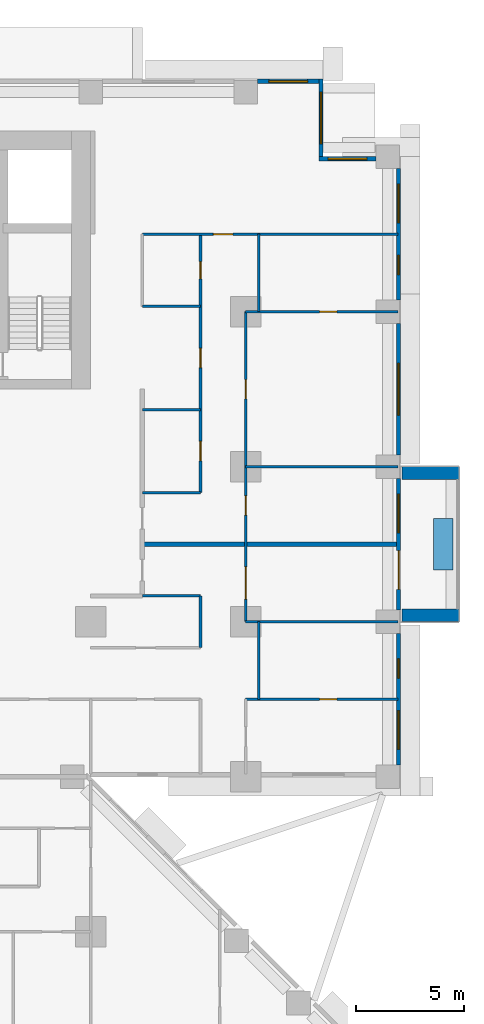
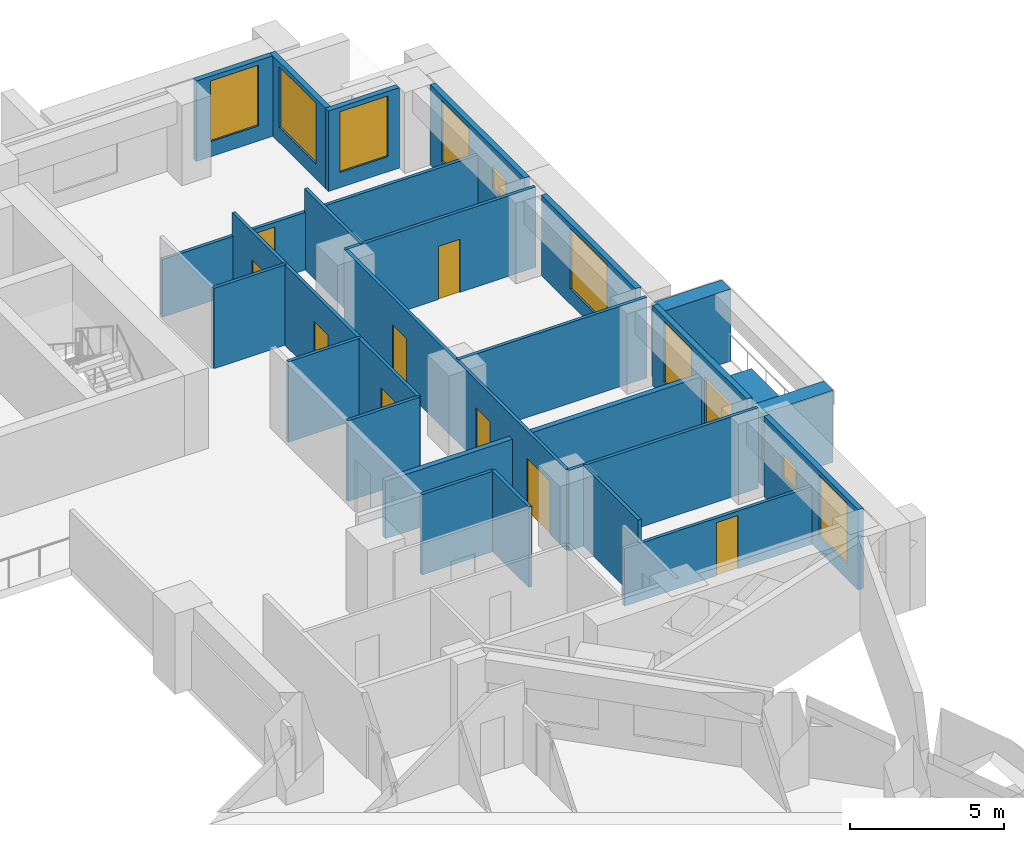
# One storey, part 12 of 17: 25 walls, 10 doors, 9 windows, 19 openings.
"""IFC4 building model written with IfcOpenShell, lengths in metres."""

import ifcopenshell
import ifcopenshell.guid

model = None  # the IFC model being written
_history = None  # IfcOwnerHistory: only IFC2X3 demands one
_inside = {}  # id of a spatial element -> (the spatial element, [elements in it])
_under = {}  # id of a project, library or spatial element -> (it, [spatial elements below it])
_declared = {}  # id of a project -> (the project, [libraries it declares])
_typed = {}  # id of a type object -> (the type object, [elements of that type])
_made_of = {}  # id of a material, layer set ... -> (it, [elements and type objects made of it])


def new_model(schema):
    """Start an empty IFC model of exactly this schema.

    Asked for "IFC4X3", IfcOpenShell would pick the latest addendum, in which some entities
    have other attributes; the version numbers below select the first issue.
    IFC2X3 requires an IfcOwnerHistory on every rooted entity: one is made here for all.
    """
    global model, _history
    if schema == "IFC4X3":
        model = ifcopenshell.file(schema_version=(4, 3, 0, 0))
    else:
        model = ifcopenshell.file(schema=schema)
    _inside.clear()
    _under.clear()
    _declared.clear()
    _typed.clear()
    _made_of.clear()
    _history = None
    if model.schema == "IFC2X3":
        org = make("IfcOrganization", Name="unknown")
        user = make(
            "IfcPersonAndOrganization",
            ThePerson=make("IfcPerson", FamilyName="unknown"),
            TheOrganization=org,
        )
        app = make(
            "IfcApplication",
            ApplicationDeveloper=org,
            Version="unknown",
            ApplicationFullName="unknown",
            ApplicationIdentifier="unknown",
        )
        _history = make(
            "IfcOwnerHistory",
            OwningUser=user,
            OwningApplication=app,
            ChangeAction="ADDED",
            CreationDate=0,
        )
    return model


def make(cls, **values):
    """One entity of the class cls with the attributes given. An attribute that is None is left unset."""
    return model.create_entity(
        cls, **{name: value for name, value in values.items() if value is not None}
    )


def rooted(cls, **values):
    """An entity with a GlobalId (a new one), such as an element, a storey or a relation."""
    return make(cls, GlobalId=ifcopenshell.guid.new(), OwnerHistory=_history, **values)


def si_unit(unit_type, name, prefix=None):
    """IfcSIUnit, for example si_unit("LENGTHUNIT", "METRE", prefix="MILLI")."""
    return make("IfcSIUnit", UnitType=unit_type, Prefix=prefix, Name=name)


def assignment(units):
    """IfcUnitAssignment: the units of a project."""
    return None if units is None else make("IfcUnitAssignment", Units=units)


def point(xyz):
    """IfcCartesianPoint."""
    return None if xyz is None else make("IfcCartesianPoint", Coordinates=xyz)


def direction(xyz):
    """IfcDirection."""
    return None if xyz is None else make("IfcDirection", DirectionRatios=xyz)


def frame(location, z_axis=None, x_axis=None):
    """IfcAxis2Placement3D, a coordinate frame: its origin and axes. An axis left out is left unset."""
    return make(
        "IfcAxis2Placement3D",
        Location=point(location),
        Axis=direction(z_axis),
        RefDirection=direction(x_axis),
    )


def frame_2d(location, x_axis=None):
    """IfcAxis2Placement2D, a coordinate frame in the plane: its origin and x axis."""
    return make(
        "IfcAxis2Placement2D", Location=point(location), RefDirection=direction(x_axis)
    )


def origin():
    """The frame at (0, 0, 0) with its axes left unset."""
    return frame((0.0, 0.0, 0.0))


def place(relative_to, where):
    """IfcLocalPlacement: puts the frame where relative to a parent placement (None: the world)."""
    return make(
        "IfcLocalPlacement", PlacementRelTo=relative_to, RelativePlacement=where
    )


def context(
    kind, dimensions, precision=None, world=None, true_north=None, identifier=None
):
    """IfcGeometricRepresentationContext, for example the 3D "Model" context."""
    return make(
        "IfcGeometricRepresentationContext",
        ContextIdentifier=identifier,
        ContextType=kind,
        CoordinateSpaceDimension=dimensions,
        Precision=precision,
        WorldCoordinateSystem=world,
        TrueNorth=true_north,
    )


def subcontext(parent, identifier, kind, view, scale=None):
    """IfcGeometricRepresentationSubContext, for example "Body" below "Model"."""
    return make(
        "IfcGeometricRepresentationSubContext",
        ContextIdentifier=identifier,
        ContextType=kind,
        ParentContext=parent,
        TargetScale=scale,
        TargetView=view,
    )


def project(units=None, contexts=None):
    """IfcProject with its units and contexts."""
    return rooted(
        "IfcProject",
        Name="project",
        RepresentationContexts=contexts,
        UnitsInContext=assignment(units),
    )


def spatial(cls, under=None, at=None, **own):
    """A site, building, storey or space (cls), placed at a placement, below another one or the project."""
    s = rooted(cls, ObjectPlacement=at, **own)
    if under is not None:
        _under.setdefault(under.id(), (under, []))[1].append(s)
    return s


def profile(cls, at=None, kind="AREA", **sizes):
    """A parametric profile (cls). Its sizes go by their IFC names, for example OverallWidth=200.0."""
    return make(cls, ProfileType=kind, Position=at, **sizes)


def rectangle(**sizes):
    """IfcRectangleProfileDef."""
    return profile("IfcRectangleProfileDef", **sizes)


def extrude(swept, where, along, depth):
    """IfcExtrudedAreaSolid: the profile swept, set in the frame where, extruded along a direction by depth."""
    return make(
        "IfcExtrudedAreaSolid",
        SweptArea=swept,
        Position=where,
        ExtrudedDirection=direction(along),
        Depth=depth,
    )


def shape(context_of_items, identifier, shape_type, items):
    """IfcShapeRepresentation: the items that make up one representation, for example the "Body"."""
    return make(
        "IfcShapeRepresentation",
        ContextOfItems=context_of_items,
        RepresentationIdentifier=identifier,
        RepresentationType=shape_type,
        Items=items,
    )


def material(Name=None, Category=None):
    """IfcMaterial."""
    return make("IfcMaterial", Name=Name, Category=Category)


def layer(
    of_material, thickness, ventilated=None, Name=None, Category=None, Priority=None
):
    """IfcMaterialLayer: one layer of a wall or slab, of a material (None: an air gap)."""
    return make(
        "IfcMaterialLayer",
        Material=of_material,
        LayerThickness=thickness,
        IsVentilated=ventilated,
        Name=Name,
        Category=Category,
        Priority=Priority,
    )


def layer_set(layers, Name=None):
    """IfcMaterialLayerSet."""
    return make("IfcMaterialLayerSet", MaterialLayers=layers, LayerSetName=Name)


def made_of(thing, what):
    """Note that an element or type object is made of a material, layer set ...; save() writes the relation."""
    if what is not None:
        _made_of.setdefault(what.id(), (what, []))[1].append(thing)
    return thing


def type_object(cls, material=None, **own):
    """A type object (cls), such as IfcWallType, which elements share."""
    return made_of(rooted(cls, **own), material)


def element(
    cls,
    number,
    at=None,
    inside=None,
    cuts=None,
    type_object=None,
    material=None,
    context=None,
    identifier="Body",
    shape_type=None,
    held_by="IfcProductDefinitionShape",
    body=None,
    shapes=None,
    **own,
):
    """One element of the class cls, such as IfcWall. Its Tag is "e" and its number.

    at: its placement. inside: the storey or other place that contains it. cuts: it is an
    opening in that element (IfcRelVoidsElement). A single representation is given by context,
    identifier, shape_type and body (its items); several are given by shapes. held_by: the class
    of the entity that holds the representations. save() writes the other relations.
    """
    e = rooted(cls, Tag="e%d" % number, ObjectPlacement=at, **own)
    if body is not None:
        shapes = [shape(context, identifier, shape_type, body)]
    if shapes is not None:
        e.Representation = make(held_by, Representations=shapes)
    if inside is not None:
        _inside.setdefault(inside.id(), (inside, []))[1].append(e)
    if cuts is not None:
        rooted(
            "IfcRelVoidsElement", RelatingBuildingElement=cuts, RelatedOpeningElement=e
        )
    if type_object is not None:
        _typed.setdefault(type_object.id(), (type_object, []))[1].append(e)
    return made_of(e, material)


def fill(opening, filler):
    """IfcRelFillsElement: the door or window that sits in an opening."""
    return rooted(
        "IfcRelFillsElement",
        RelatingOpeningElement=opening,
        RelatedBuildingElement=filler,
    )


def aggregate(whole, parts):
    """IfcRelAggregates: a whole, such as a stair, and the parts it consists of."""
    return rooted("IfcRelAggregates", RelatingObject=whole, RelatedObjects=parts)


def save(model, path):
    """Write the relations noted so far, then the file.

    IfcRelAggregates (storeys below a building ...), IfcRelContainedInSpatialStructure (elements
    in a storey), IfcRelDefinesByType, IfcRelAssociatesMaterial and IfcRelDeclares: one each for
    every whole, place, type object, material and project.
    """
    for whole, parts in _under.values():
        aggregate(whole, parts)
    for where, things in _inside.values():
        rooted(
            "IfcRelContainedInSpatialStructure",
            RelatedElements=things,
            RelatingStructure=where,
        )
    for kind, things in _typed.values():
        rooted("IfcRelDefinesByType", RelatedObjects=things, RelatingType=kind)
    for what, things in _made_of.values():
        rooted("IfcRelAssociatesMaterial", RelatedObjects=things, RelatingMaterial=what)
    for by, libraries in _declared.values():
        rooted("IfcRelDeclares", RelatingContext=by, RelatedDefinitions=libraries)
    model.write(path)


model = new_model("IFC4")

# Units and contexts
model_context = context("Model", 3, precision=1e-05, world=origin(), true_north=direction((0.0, 1.0)))
body_context = subcontext(model_context, "Body", "Model", "MODEL_VIEW")
ifc_project = project(units=[si_unit("LENGTHUNIT", "METRE"), si_unit("AREAUNIT", "SQUARE_METRE"), si_unit("VOLUMEUNIT", "CUBIC_METRE"), si_unit("PLANEANGLEUNIT", "RADIAN"), si_unit("MASSUNIT", "GRAM", prefix="KILO")], contexts=[model_context])

# Site, building, storey
site_placement = place(None, origin())
site = spatial("IfcSite", under=ifc_project, at=site_placement, CompositionType="ELEMENT")
building_placement = place(site_placement, origin())
building = spatial("IfcBuilding", under=site, at=building_placement, Name="Saffron Iwan Residences", CompositionType="ELEMENT")
storey_placement = place(building_placement, frame((0.0, 0.0, 51.5)))
storey = spatial("IfcBuildingStorey", under=building, at=storey_placement, Name="L12", CompositionType="ELEMENT", Elevation=51.5)

# Walls
ifc_material_1 = material(Name="Concrete C50/60 white painted", Category="concrete")
ifc_layer_1 = layer(ifc_material_1, 0.60009765625)
ifc_layer_set_1 = layer_set([ifc_layer_1], Name="Concrete C50/60 white painted")
wall_type_1 = type_object("IfcWallType", Name="BALCONY FIN 600", PredefinedType="SOLIDWALL", material=ifc_layer_set_1)
for number, where, z_axis, x_axis, name in (
    (1, (86.449951171875, 55.5, 0.0), (0.0, 0.0, 1.0), (1.0, 0.0, 0.0), "Balcony fin L12 F2-0a"),
    (2, (86.449951171875, 62.10009765625, 0.0), (0.0, 0.0, 1.0), (1.0, 0.0, 0.0), "Balcony fin L12 F2-0b"),
):
    element("IfcWall", number, at=place(storey_placement, frame(where, z_axis=z_axis, x_axis=x_axis)), inside=storey, type_object=wall_type_1, Name=name, PredefinedType="SOLIDWALL", context=body_context, shape_type="SweptSolid", body=[
        extrude(rectangle(XDim=2.650146484375, YDim=0.60009765625, at=frame_2d((1.3251953125, 0.0))), origin(), (0.0, 0.0, 1.0), 2.85009765625),
    ])
ifc_material_2 = material(Name="Concrete C35/45 white painted", Category="concrete")
ifc_layer_2 = layer(ifc_material_2, 0.14990234375)
ifc_layer_set_2 = layer_set([ifc_layer_2], Name="Concrete C35/45 white painted")
wall_type_2 = type_object("IfcWallType", Name="BALCONY PLANTER", PredefinedType="SOLIDWALL", material=ifc_layer_set_2)
wall_1_placement = place(storey_placement, frame((88.375, 57.60009765625, 0.0), z_axis=(0.0, 0.0, 1.0), x_axis=(0.0, 1.0, 0.0)))
element("IfcWall", 3, at=wall_1_placement, inside=storey, type_object=wall_type_2, Name="PLANTER L12 F2-0", PredefinedType="SOLIDWALL", context=body_context, shape_type="SweptSolid", body=[
    extrude(rectangle(XDim=2.39990234375, YDim=0.89990234375, at=frame_2d((1.199951171875, 0.0))), origin(), (0.0, 0.0, 1.0), 0.89990234375),
])

# Wall, openings, windows
ifc_material_3 = material(Name="Concrete C40/50", Category="concrete")
ifc_layer_3 = layer(ifc_material_3, 0.199951171875)
ifc_layer_set_3 = layer_set([ifc_layer_3], Name="Concrete C40/50")
wall_type_3 = type_object("IfcWallType", Name="EXTERNAL WALL 200", PredefinedType="SOLIDWALL", material=ifc_layer_set_3)
wall_2_placement = place(storey_placement, frame((86.300048828125, 48.550048828125, 0.0), z_axis=(0.0, 0.0, 1.0), x_axis=(0.0, 1.0, 0.0)))
wall_2 = element("IfcWall", 4, at=wall_2_placement, inside=storey, type_object=wall_type_3, Name="External wall L12 F2.0", PredefinedType="SOLIDWALL", context=body_context, shape_type="SweptSolid", body=[
    extrude(rectangle(XDim=6.099853515625, YDim=0.199951171875, at=frame_2d((3.0498046875, 0.0))), origin(), (0.0, 0.0, 1.0), 3.179931640625),
])
opening_1_placement = place(wall_2_placement, frame((0.72509765625, 0.0, 0.60009765625)))
opening_1 = element("IfcOpeningElement", 5, at=opening_1_placement, cuts=wall_2, Name="Opening W8", PredefinedType="OPENING", context=body_context, shape_type="SweptSolid", body=[
    extrude(rectangle(XDim=1.800048828125, YDim=2.39990234375, at=frame_2d((0.89990234375, 1.199951171875))), frame((0.0, 0.10986328125, 0.0), z_axis=(0.0, -1.0, 0.0), x_axis=(1.0, 0.0, 0.0)), (0.0, 0.0, 1.0), 0.219970703125),
])
opening_2_placement = place(wall_2_placement, frame((4.02490234375, 0.0, 1.5)))
opening_2 = element("IfcOpeningElement", 6, at=opening_2_placement, cuts=wall_2, Name="Opening W6", PredefinedType="OPENING", context=body_context, shape_type="SweptSolid", body=[
    extrude(rectangle(XDim=0.89990234375, YDim=0.89990234375, at=frame_2d((0.449951171875, 0.449951171875))), frame((0.0, 0.10986328125, 0.0), z_axis=(0.0, -1.0, 0.0), x_axis=(1.0, 0.0, 0.0)), (0.0, 0.0, 1.0), 0.219970703125),
])
ifc_material_4 = material(Name="Clear glass, laminated double glazed", Category="glass")
window_type_1 = type_object("IfcWindowType", Name="WINDOW 1800 x 2400", PartitioningType="DOUBLE_PANEL_VERTICAL", PredefinedType="WINDOW", material=ifc_material_4)
window_1_placement = place(opening_1_placement, origin())
window_1 = element("IfcWindow", 7, at=window_1_placement, inside=storey, type_object=window_type_1, Name="Window L12 F2.0", OverallHeight=2.39990234375, OverallWidth=1.800048828125, PartitioningType="DOUBLE_PANEL_VERTICAL", PredefinedType="WINDOW", context=body_context, shape_type="SweptSolid", body=[
    extrude(rectangle(XDim=1.800048828125, YDim=2.39990234375, at=frame_2d((0.89990234375, 1.199951171875))), frame((0.0, 0.030029296875, 0.0), z_axis=(0.0, -1.0, 0.0), x_axis=(1.0, 0.0, 0.0)), (0.0, 0.0, 1.0), 0.06005859375),
])
fill(opening_1, window_1)
window_type_2 = type_object("IfcWindowType", Name="WINDOW 900 x 900 BATH", PartitioningType="SINGLE_PANEL", PredefinedType="WINDOW", material=ifc_material_4)
window_2_placement = place(opening_2_placement, origin())
window_2 = element("IfcWindow", 8, at=window_2_placement, inside=storey, type_object=window_type_2, Name="Window L12 F2.1", OverallHeight=0.89990234375, OverallWidth=0.89990234375, PartitioningType="SINGLE_PANEL", PredefinedType="WINDOW", context=body_context, shape_type="SweptSolid", body=[
    extrude(rectangle(XDim=0.89990234375, YDim=0.89990234375, at=frame_2d((0.449951171875, 0.449951171875))), frame((0.0, 0.030029296875, 0.0), z_axis=(0.0, -1.0, 0.0), x_axis=(1.0, 0.0, 0.0)), (0.0, 0.0, 1.0), 0.06005859375),
])
fill(opening_2, window_2)

# Wall, openings, door, window
wall_3_placement = place(storey_placement, frame((86.300048828125, 55.75, 0.0), z_axis=(0.0, 0.0, 1.0), x_axis=(0.0, 1.0, 0.0)))
wall_3 = element("IfcWall", 9, at=wall_3_placement, inside=storey, type_object=wall_type_3, Name="External wall L12 F2.1", PredefinedType="SOLIDWALL", context=body_context, shape_type="SweptSolid", body=[
    extrude(rectangle(XDim=6.10009765625, YDim=0.199951171875, at=frame_2d((3.050048828125, 0.0))), origin(), (0.0, 0.0, 1.0), 3.179931640625),
])
opening_3_placement = place(wall_3_placement, frame((0.949951171875, 0.0, 0.0)))
opening_3 = element("IfcOpeningElement", 10, at=opening_3_placement, cuts=wall_3, Name="Opening BD1", PredefinedType="OPENING", context=body_context, shape_type="SweptSolid", body=[
    extrude(rectangle(XDim=1.800048828125, YDim=2.39990234375, at=frame_2d((0.89990234375, 1.199951171875))), frame((0.0, 0.10986328125, 0.0), z_axis=(0.0, -1.0, 0.0), x_axis=(1.0, 0.0, 0.0)), (0.0, 0.0, 1.0), 0.219970703125),
])
opening_4_placement = place(wall_3_placement, frame((3.574951171875, 0.0, 0.60009765625)))
opening_4 = element("IfcOpeningElement", 11, at=opening_4_placement, cuts=wall_3, Name="Opening W8", PredefinedType="OPENING", context=body_context, shape_type="SweptSolid", body=[
    extrude(rectangle(XDim=1.800048828125, YDim=2.39990234375, at=frame_2d((0.89990234375, 1.199951171875))), frame((0.0, 0.10986328125, 0.0), z_axis=(0.0, -1.0, 0.0), x_axis=(1.0, 0.0, 0.0)), (0.0, 0.0, 1.0), 0.219970703125),
])
door_type_1 = type_object("IfcDoorType", Name="BALCONY DOOR 1800 x 2400", OperationType="DOUBLE_DOOR_SLIDING", PredefinedType="DOOR", material=ifc_material_4)
door_1_placement = place(opening_3_placement, origin())
door_1 = element("IfcDoor", 12, at=door_1_placement, inside=storey, type_object=door_type_1, Name="Balcony door L12 F2.0", OperationType="DOUBLE_DOOR_SLIDING", OverallHeight=2.39990234375, OverallWidth=1.800048828125, PredefinedType="DOOR", context=body_context, shape_type="SweptSolid", body=[
    extrude(rectangle(XDim=1.800048828125, YDim=2.39990234375, at=frame_2d((0.89990234375, 1.199951171875))), frame((0.0, 0.02490234375, 0.0), z_axis=(0.0, -1.0, 0.0), x_axis=(1.0, 0.0, 0.0)), (0.0, 0.0, 1.0), 0.050048828125),
])
fill(opening_3, door_1)
window_3_placement = place(opening_4_placement, origin())
window_3 = element("IfcWindow", 13, at=window_3_placement, inside=storey, type_object=window_type_1, Name="Window L12 F2.1", OverallHeight=2.39990234375, OverallWidth=1.800048828125, PartitioningType="DOUBLE_PANEL_VERTICAL", PredefinedType="WINDOW", context=body_context, shape_type="SweptSolid", body=[
    extrude(rectangle(XDim=1.800048828125, YDim=2.39990234375, at=frame_2d((0.89990234375, 1.199951171875))), frame((0.0, 0.030029296875, 0.0), z_axis=(0.0, -1.0, 0.0), x_axis=(1.0, 0.0, 0.0)), (0.0, 0.0, 1.0), 0.06005859375),
])
fill(opening_4, window_3)

# Wall, opening, window
wall_4_placement = place(storey_placement, frame((86.300048828125, 62.949951171875, 0.0), z_axis=(0.0, 0.0, 1.0), x_axis=(0.0, 1.0, 0.0)))
wall_4 = element("IfcWall", 14, at=wall_4_placement, inside=storey, type_object=wall_type_3, Name="External wall L12 F2.2", PredefinedType="SOLIDWALL", context=body_context, shape_type="SweptSolid", body=[
    extrude(rectangle(XDim=6.10009765625, YDim=0.199951171875, at=frame_2d((3.050048828125, 0.0))), origin(), (0.0, 0.0, 1.0), 3.179931640625),
])
opening_5_placement = place(wall_4_placement, frame((1.85009765625, 0.0, 0.60009765625)))
opening_5 = element("IfcOpeningElement", 15, at=opening_5_placement, cuts=wall_4, Name="Opening W1", PredefinedType="OPENING", context=body_context, shape_type="SweptSolid", body=[
    extrude(rectangle(XDim=2.39990234375, YDim=2.39990234375, at=frame_2d((1.199951171875, 1.199951171875))), frame((0.0, 0.10986328125, 0.0), z_axis=(0.0, -1.0, 0.0), x_axis=(1.0, 0.0, 0.0)), (0.0, 0.0, 1.0), 0.219970703125),
])
window_type_3 = type_object("IfcWindowType", Name="WINDOW 2400 x 2400", PartitioningType="DOUBLE_PANEL_VERTICAL", PredefinedType="WINDOW", material=ifc_material_4)
window_4_placement = place(opening_5_placement, origin())
window_4 = element("IfcWindow", 16, at=window_4_placement, inside=storey, type_object=window_type_3, Name="Window L12 F2.0", OverallHeight=2.39990234375, OverallWidth=2.39990234375, PartitioningType="DOUBLE_PANEL_VERTICAL", PredefinedType="WINDOW", context=body_context, shape_type="SweptSolid", body=[
    extrude(rectangle(XDim=2.39990234375, YDim=2.39990234375, at=frame_2d((1.199951171875, 1.199951171875))), frame((0.0, 0.030029296875, 0.0), z_axis=(0.0, -1.0, 0.0), x_axis=(1.0, 0.0, 0.0)), (0.0, 0.0, 1.0), 0.06005859375),
])
fill(opening_5, window_4)

# Wall, openings, windows
wall_5_placement = place(storey_placement, frame((86.300048828125, 70.14990234375, 0.0), z_axis=(0.0, 0.0, 1.0), x_axis=(0.0, 1.0, 0.0)))
wall_5 = element("IfcWall", 17, at=wall_5_placement, inside=storey, type_object=wall_type_3, Name="External wall L12 F2.3", PredefinedType="SOLIDWALL", context=body_context, shape_type="SweptSolid", body=[
    extrude(rectangle(XDim=6.10009765625, YDim=0.199951171875, at=frame_2d((3.050048828125, 0.0))), origin(), (0.0, 0.0, 1.0), 3.179931640625),
])
opening_6_placement = place(wall_5_placement, frame((1.175048828125, 0.0, 1.5)))
opening_6 = element("IfcOpeningElement", 18, at=opening_6_placement, cuts=wall_5, Name="Opening W6", PredefinedType="OPENING", context=body_context, shape_type="SweptSolid", body=[
    extrude(rectangle(XDim=0.89990234375, YDim=0.89990234375, at=frame_2d((0.449951171875, 0.449951171875))), frame((0.0, 0.10986328125, 0.0), z_axis=(0.0, -1.0, 0.0), x_axis=(1.0, 0.0, 0.0)), (0.0, 0.0, 1.0), 0.219970703125),
])
opening_7_placement = place(wall_5_placement, frame((3.574951171875, 0.0, 0.60009765625)))
opening_7 = element("IfcOpeningElement", 19, at=opening_7_placement, cuts=wall_5, Name="Opening W8", PredefinedType="OPENING", context=body_context, shape_type="SweptSolid", body=[
    extrude(rectangle(XDim=1.800048828125, YDim=2.39990234375, at=frame_2d((0.89990234375, 1.199951171875))), frame((0.0, 0.10986328125, 0.0), z_axis=(0.0, -1.0, 0.0), x_axis=(1.0, 0.0, 0.0)), (0.0, 0.0, 1.0), 0.219970703125),
])
window_5_placement = place(opening_7_placement, origin())
window_5 = element("IfcWindow", 20, at=window_5_placement, inside=storey, type_object=window_type_1, Name="Window L12 F2.1", OverallHeight=2.39990234375, OverallWidth=1.800048828125, PartitioningType="DOUBLE_PANEL_VERTICAL", PredefinedType="WINDOW", context=body_context, shape_type="SweptSolid", body=[
    extrude(rectangle(XDim=1.800048828125, YDim=2.39990234375, at=frame_2d((0.89990234375, 1.199951171875))), frame((0.0, 0.030029296875, 0.0), z_axis=(0.0, -1.0, 0.0), x_axis=(1.0, 0.0, 0.0)), (0.0, 0.0, 1.0), 0.06005859375),
])
fill(opening_7, window_5)
window_6_placement = place(opening_6_placement, origin())
window_6 = element("IfcWindow", 21, at=window_6_placement, inside=storey, type_object=window_type_2, Name="Window L12 F2.0", OverallHeight=0.89990234375, OverallWidth=0.89990234375, PartitioningType="SINGLE_PANEL", PredefinedType="WINDOW", context=body_context, shape_type="SweptSolid", body=[
    extrude(rectangle(XDim=0.89990234375, YDim=0.89990234375, at=frame_2d((0.449951171875, 0.449951171875))), frame((0.0, 0.030029296875, 0.0), z_axis=(0.0, -1.0, 0.0), x_axis=(1.0, 0.0, 0.0)), (0.0, 0.0, 1.0), 0.06005859375),
])
fill(opening_6, window_6)

# Wall, opening, window
wall_6_placement = place(storey_placement, frame((85.25, 76.699951171875, 0.0), z_axis=(0.0, 0.0, 1.0), x_axis=(-1.0, 0.0, 0.0)))
wall_6 = element("IfcWall", 22, at=wall_6_placement, inside=storey, type_object=wall_type_3, Name="External wall L12 F3.0", PredefinedType="SOLIDWALL", context=body_context, shape_type="SweptSolid", body=[
    extrude(rectangle(XDim=2.64990234375, YDim=0.199951171875, at=frame_2d((1.324951171875, 0.0))), origin(), (0.0, 0.0, 1.0), 3.179931640625),
])
opening_8_placement = place(wall_6_placement, frame((0.425048828125, 0.0, 0.60009765625)))
opening_8 = element("IfcOpeningElement", 23, at=opening_8_placement, cuts=wall_6, Name="Opening W8", PredefinedType="OPENING", context=body_context, shape_type="SweptSolid", body=[
    extrude(rectangle(XDim=1.800048828125, YDim=2.39990234375, at=frame_2d((0.89990234375, 1.199951171875))), frame((0.0, 0.10986328125, 0.0), z_axis=(0.0, -1.0, 0.0), x_axis=(1.0, 0.0, 0.0)), (0.0, 0.0, 1.0), 0.219970703125),
])
window_7_placement = place(opening_8_placement, origin())
window_7 = element("IfcWindow", 24, at=window_7_placement, inside=storey, type_object=window_type_1, Name="Window L12 F3.0", OverallHeight=2.39990234375, OverallWidth=1.800048828125, PartitioningType="DOUBLE_PANEL_VERTICAL", PredefinedType="WINDOW", context=body_context, shape_type="SweptSolid", body=[
    extrude(rectangle(XDim=1.800048828125, YDim=2.39990234375, at=frame_2d((0.89990234375, 1.199951171875))), frame((0.0, 0.030029296875, 0.0), z_axis=(0.0, -1.0, 0.0), x_axis=(1.0, 0.0, 0.0)), (0.0, 0.0, 1.0), 0.06005859375),
])
fill(opening_8, window_7)

wall_7_placement = place(storey_placement, frame((82.699951171875, 76.800048828125, 0.0), z_axis=(0.0, 0.0, 1.0), x_axis=(0.0, 1.0, 0.0)))
wall_7 = element("IfcWall", 25, at=wall_7_placement, inside=storey, type_object=wall_type_3, Name="External wall L12 F4.0", PredefinedType="SOLIDWALL", context=body_context, shape_type="SweptSolid", body=[
    extrude(rectangle(XDim=3.599853515625, YDim=0.199951171875, at=frame_2d((1.7998046875, 0.0))), origin(), (0.0, 0.0, 1.0), 3.179931640625),
])
opening_9_placement = place(wall_7_placement, frame((0.60009765625, 0.0, 0.60009765625)))
opening_9 = element("IfcOpeningElement", 26, at=opening_9_placement, cuts=wall_7, Name="Opening W1", PredefinedType="OPENING", context=body_context, shape_type="SweptSolid", body=[
    extrude(rectangle(XDim=2.39990234375, YDim=2.39990234375, at=frame_2d((1.199951171875, 1.199951171875))), frame((0.0, 0.10986328125, 0.0), z_axis=(0.0, -1.0, 0.0), x_axis=(1.0, 0.0, 0.0)), (0.0, 0.0, 1.0), 0.219970703125),
])
window_8_placement = place(opening_9_placement, origin())
window_8 = element("IfcWindow", 27, at=window_8_placement, inside=storey, type_object=window_type_3, Name="Window L12 F4.0", OverallHeight=2.39990234375, OverallWidth=2.39990234375, PartitioningType="DOUBLE_PANEL_VERTICAL", PredefinedType="WINDOW", context=body_context, shape_type="SweptSolid", body=[
    extrude(rectangle(XDim=2.39990234375, YDim=2.39990234375, at=frame_2d((1.199951171875, 1.199951171875))), frame((0.0, 0.030029296875, 0.0), z_axis=(0.0, -1.0, 0.0), x_axis=(1.0, 0.0, 0.0)), (0.0, 0.0, 1.0), 0.06005859375),
])
fill(opening_9, window_8)

wall_8_placement = place(storey_placement, frame((82.60009765625, 80.300048828125, 0.0), z_axis=(0.0, 0.0, 1.0), x_axis=(-1.0, 0.0, 0.0)))
wall_8 = element("IfcWall", 28, at=wall_8_placement, inside=storey, type_object=wall_type_3, Name="External wall L12 F5.0", PredefinedType="SOLIDWALL", context=body_context, shape_type="SweptSolid", body=[
    extrude(rectangle(XDim=2.85009765625, YDim=0.199951171875, at=frame_2d((1.425048828125, 0.0))), origin(), (0.0, 0.0, 1.0), 3.179931640625),
])
opening_10_placement = place(wall_8_placement, frame((0.52490234375, 0.0, 0.60009765625)))
opening_10 = element("IfcOpeningElement", 29, at=opening_10_placement, cuts=wall_8, Name="Opening W8", PredefinedType="OPENING", context=body_context, shape_type="SweptSolid", body=[
    extrude(rectangle(XDim=1.800048828125, YDim=2.39990234375, at=frame_2d((0.89990234375, 1.199951171875))), frame((0.0, 0.10986328125, 0.0), z_axis=(0.0, -1.0, 0.0), x_axis=(1.0, 0.0, 0.0)), (0.0, 0.0, 1.0), 0.219970703125),
])
window_9_placement = place(opening_10_placement, origin())
window_9 = element("IfcWindow", 30, at=window_9_placement, inside=storey, type_object=window_type_1, Name="Window L12 F5.0", OverallHeight=2.39990234375, OverallWidth=1.800048828125, PartitioningType="DOUBLE_PANEL_VERTICAL", PredefinedType="WINDOW", context=body_context, shape_type="SweptSolid", body=[
    extrude(rectangle(XDim=1.800048828125, YDim=2.39990234375, at=frame_2d((0.89990234375, 1.199951171875))), frame((0.0, 0.030029296875, 0.0), z_axis=(0.0, -1.0, 0.0), x_axis=(1.0, 0.0, 0.0)), (0.0, 0.0, 1.0), 0.06005859375),
])
fill(opening_10, window_9)

# Wall
ifc_material_5 = material(Name="Fire-rated gypsum board wall")
ifc_layer_4 = layer(ifc_material_5, 0.199951171875)
ifc_layer_set_4 = layer_set([ifc_layer_4], Name="Fire-rated gypsum board wall")
wall_type_4 = type_object("IfcWallType", Name="Flat demising wall 200", PredefinedType="SOLIDWALL", material=ifc_layer_set_4)
wall_9_placement = place(storey_placement, frame((74.39990234375, 58.800048828125, 0.0), z_axis=(0.0, 0.0, 1.0), x_axis=(1.0, 0.0, 0.0)))
element("IfcWall", 31, at=wall_9_placement, inside=storey, type_object=wall_type_4, Name="W-L12-DEMISE-h58.8-74.4", PredefinedType="SOLIDWALL", context=body_context, shape_type="SweptSolid", body=[
    extrude(rectangle(XDim=11.875, YDim=0.199951171875, at=frame_2d((5.9375, 0.0))), origin(), (0.0, 0.0, 1.0), 2.280029296875),
])

# Wall, opening, door
ifc_material_6 = material(Name="Gypsum board partition")
ifc_layer_5 = layer(ifc_material_6, 0.1201171875)
ifc_layer_set_5 = layer_set([ifc_layer_5], Name="Gypsum board partition")
wall_type_5 = type_object("IfcWallType", Name="Flat partition 120", PredefinedType="PARTITIONING", material=ifc_layer_set_5)
wall_10_placement = place(storey_placement, frame((79.199951171875, 51.60009765625, 0.0), z_axis=(0.0, 0.0, 1.0), x_axis=(1.0, 0.0, 0.0)))
wall_10 = element("IfcWall", 32, at=wall_10_placement, inside=storey, type_object=wall_type_5, Name="W-L12-PART-h51.6-79.2", PredefinedType="PARTITIONING", context=body_context, shape_type="SweptSolid", body=[
    extrude(rectangle(XDim=7.074951171875, YDim=0.1201171875, at=frame_2d((3.53759765625, 0.0))), origin(), (0.0, 0.0, 1.0), 2.280029296875),
])
opening_11_placement = place(wall_10_placement, frame((3.4375, 0.0, 0.0)))
opening_11 = element("IfcOpeningElement", 33, at=opening_11_placement, cuts=wall_10, Name="Opening FD3", PredefinedType="OPENING", context=body_context, shape_type="SweptSolid", body=[
    extrude(rectangle(XDim=0.800048828125, YDim=2.10009765625, at=frame_2d((0.39990234375, 1.050048828125))), frame((0.0, 0.070068359375, 0.0), z_axis=(0.0, -1.0, 0.0), x_axis=(1.0, 0.0, 0.0)), (0.0, 0.0, 1.0), 0.14013671875),
])
ifc_material_7 = material(Name="Timber door", Category="wood")
door_type_2 = type_object("IfcDoorType", Name="Bathroom door 800", OperationType="NOTDEFINED", PredefinedType="DOOR", material=ifc_material_7)
door_2_placement = place(opening_11_placement, origin())
door_2 = element("IfcDoor", 34, at=door_2_placement, inside=storey, type_object=door_type_2, Name="Door L12-023", OperationType="SINGLE_SWING_LEFT", OverallHeight=2.10009765625, OverallWidth=0.800048828125, PredefinedType="DOOR", context=body_context, shape_type="SweptSolid", body=[
    extrude(rectangle(XDim=0.800048828125, YDim=2.10009765625, at=frame_2d((0.39990234375, 1.050048828125))), frame((0.0, 0.02490234375, 0.0), z_axis=(0.0, -1.0, 0.0), x_axis=(1.0, 0.0, 0.0)), (0.0, 0.0, 1.0), 0.050048828125),
])
fill(opening_11, door_2)

# Walls
wall_11_placement = place(storey_placement, frame((79.199951171875, 55.199951171875, 0.0), z_axis=(0.0, 0.0, 1.0), x_axis=(1.0, 0.0, 0.0)))
element("IfcWall", 35, at=wall_11_placement, inside=storey, type_object=wall_type_5, Name="W-L12-PART-h55.2-79.2", PredefinedType="PARTITIONING", context=body_context, shape_type="SweptSolid", body=[
    extrude(rectangle(XDim=7.074951171875, YDim=0.1201171875, at=frame_2d((3.53759765625, 0.0))), origin(), (0.0, 0.0, 1.0), 3.179931640625),
])
for number, where, z_axis, x_axis, name in (
    (36, (74.39990234375, 56.39990234375, 0.0), (0.0, 0.0, 1.0), (1.0, 0.0, 0.0), "W-L12-PART-h56.4-74.4"),
    (37, (74.39990234375, 61.199951171875, 0.0), (0.0, 0.0, 1.0), (1.0, 0.0, 0.0), "W-L12-PART-h61.2-74.4"),
):
    element("IfcWall", number, at=place(storey_placement, frame(where, z_axis=z_axis, x_axis=x_axis)), inside=storey, type_object=wall_type_5, Name=name, PredefinedType="PARTITIONING", context=body_context, shape_type="SweptSolid", body=[
        extrude(rectangle(XDim=2.7001953125, YDim=0.1201171875, at=frame_2d((1.35009765625, 0.0))), origin(), (0.0, 0.0, 1.0), 3.179931640625),
    ])
wall_12_placement = place(storey_placement, frame((79.199951171875, 62.39990234375, 0.0), z_axis=(0.0, 0.0, 1.0), x_axis=(1.0, 0.0, 0.0)))
element("IfcWall", 38, at=wall_12_placement, inside=storey, type_object=wall_type_5, Name="W-L12-PART-h62.4-79.2", PredefinedType="PARTITIONING", context=body_context, shape_type="SweptSolid", body=[
    extrude(rectangle(XDim=7.074951171875, YDim=0.1201171875, at=frame_2d((3.53759765625, 0.0))), origin(), (0.0, 0.0, 1.0), 3.179931640625),
])
wall_13_placement = place(storey_placement, frame((74.39990234375, 65.050048828125, 0.0), z_axis=(0.0, 0.0, 1.0), x_axis=(1.0, 0.0, 0.0)))
element("IfcWall", 39, at=wall_13_placement, inside=storey, type_object=wall_type_5, Name="W-L12-PART-h65.05-74.4", PredefinedType="PARTITIONING", context=body_context, shape_type="SweptSolid", body=[
    extrude(rectangle(XDim=2.7001953125, YDim=0.1201171875, at=frame_2d((1.35009765625, 0.0))), origin(), (0.0, 0.0, 1.0), 3.179931640625),
])

# Wall, opening, door
wall_14_placement = place(storey_placement, frame((79.199951171875, 69.60009765625, 0.0), z_axis=(0.0, 0.0, 1.0), x_axis=(1.0, 0.0, 0.0)))
wall_14 = element("IfcWall", 40, at=wall_14_placement, inside=storey, type_object=wall_type_5, Name="W-L12-PART-h69.6-79.2", PredefinedType="PARTITIONING", context=body_context, shape_type="SweptSolid", body=[
    extrude(rectangle(XDim=7.074951171875, YDim=0.1201171875, at=frame_2d((3.53759765625, 0.0))), origin(), (0.0, 0.0, 1.0), 3.179931640625),
])
opening_12_placement = place(wall_14_placement, frame((3.4375, 0.0, 0.0)))
opening_12 = element("IfcOpeningElement", 41, at=opening_12_placement, cuts=wall_14, Name="Opening FD3", PredefinedType="OPENING", context=body_context, shape_type="SweptSolid", body=[
    extrude(rectangle(XDim=0.800048828125, YDim=2.10009765625, at=frame_2d((0.39990234375, 1.050048828125))), frame((0.0, 0.070068359375, 0.0), z_axis=(0.0, -1.0, 0.0), x_axis=(1.0, 0.0, 0.0)), (0.0, 0.0, 1.0), 0.14013671875),
])
door_3_placement = place(opening_12_placement, origin())
door_3 = element("IfcDoor", 42, at=door_3_placement, inside=storey, type_object=door_type_2, Name="Door L12-039", OperationType="SINGLE_SWING_LEFT", OverallHeight=2.10009765625, OverallWidth=0.800048828125, PredefinedType="DOOR", context=body_context, shape_type="SweptSolid", body=[
    extrude(rectangle(XDim=0.800048828125, YDim=2.10009765625, at=frame_2d((0.39990234375, 1.050048828125))), frame((0.0, 0.02490234375, 0.0), z_axis=(0.0, -1.0, 0.0), x_axis=(1.0, 0.0, 0.0)), (0.0, 0.0, 1.0), 0.050048828125),
])
fill(opening_12, door_3)

# Wall
wall_15_placement = place(storey_placement, frame((74.39990234375, 69.85009765625, 0.0), z_axis=(0.0, 0.0, 1.0), x_axis=(1.0, 0.0, 0.0)))
element("IfcWall", 43, at=wall_15_placement, inside=storey, type_object=wall_type_5, Name="W-L12-PART-h69.85-74.4", PredefinedType="PARTITIONING", context=body_context, shape_type="SweptSolid", body=[
    extrude(rectangle(XDim=2.7001953125, YDim=0.1201171875, at=frame_2d((1.35009765625, 0.0))), origin(), (0.0, 0.0, 1.0), 3.179931640625),
])

# Wall, opening, door
wall_16_placement = place(storey_placement, frame((74.39990234375, 73.199951171875, 0.0), z_axis=(0.0, 0.0, 1.0), x_axis=(1.0, 0.0, 0.0)))
wall_16 = element("IfcWall", 44, at=wall_16_placement, inside=storey, type_object=wall_type_5, Name="W-L12-PART-h73.2-74.4", PredefinedType="PARTITIONING", context=body_context, shape_type="SweptSolid", body=[
    extrude(rectangle(XDim=11.875, YDim=0.1201171875, at=frame_2d((5.9375, 0.0))), origin(), (0.0, 0.0, 1.0), 2.280029296875),
])
opening_13_placement = place(wall_16_placement, frame((3.300048828125, 0.0, 0.0)))
opening_13 = element("IfcOpeningElement", 45, at=opening_13_placement, cuts=wall_16, Name="Opening FD2", PredefinedType="OPENING", context=body_context, shape_type="SweptSolid", body=[
    extrude(rectangle(XDim=0.89990234375, YDim=2.10009765625, at=frame_2d((0.449951171875, 1.050048828125))), frame((0.0, 0.070068359375, 0.0), z_axis=(0.0, -1.0, 0.0), x_axis=(1.0, 0.0, 0.0)), (0.0, 0.0, 1.0), 0.14013671875),
])
door_type_3 = type_object("IfcDoorType", Name="Flat door 900", OperationType="NOTDEFINED", PredefinedType="DOOR", material=ifc_material_7)
door_4_placement = place(opening_13_placement, origin())
door_4 = element("IfcDoor", 46, at=door_4_placement, inside=storey, type_object=door_type_3, Name="Door L12-040", OperationType="SINGLE_SWING_RIGHT", OverallHeight=2.10009765625, OverallWidth=0.89990234375, PredefinedType="DOOR", context=body_context, shape_type="SweptSolid", body=[
    extrude(rectangle(XDim=0.89990234375, YDim=2.10009765625, at=frame_2d((0.449951171875, 1.050048828125))), frame((0.0, 0.02490234375, 0.0), z_axis=(0.0, -1.0, 0.0), x_axis=(1.0, 0.0, 0.0)), (0.0, 0.0, 1.0), 0.050048828125),
])
fill(opening_13, door_4)

# Wall
wall_17_placement = place(storey_placement, frame((77.10009765625, 54.0, 0.0), z_axis=(0.0, 0.0, 1.0), x_axis=(0.0, 1.0, 0.0)))
element("IfcWall", 47, at=wall_17_placement, inside=storey, type_object=wall_type_5, Name="W-L12-PART-v77.1-54", PredefinedType="PARTITIONING", context=body_context, shape_type="SweptSolid", body=[
    extrude(rectangle(XDim=2.39990234375, YDim=0.1201171875, at=frame_2d((1.199951171875, 0.0))), origin(), (0.0, 0.0, 1.0), 3.179931640625),
])

# Wall, openings, doors
wall_18_placement = place(storey_placement, frame((77.10009765625, 61.199951171875, 0.0), z_axis=(0.0, 0.0, 1.0), x_axis=(0.0, 1.0, 0.0)))
wall_18 = element("IfcWall", 48, at=wall_18_placement, inside=storey, type_object=wall_type_5, Name="W-L12-PART-v77.1-61.2", PredefinedType="PARTITIONING", context=body_context, shape_type="SweptSolid", body=[
    extrude(rectangle(XDim=12.0, YDim=0.1201171875, at=frame_2d((6.0, 0.0))), origin(), (0.0, 0.0, 1.0), 3.179931640625),
])
opening_14_placement = place(wall_18_placement, frame((1.47509765625, 0.0, 0.0)))
opening_14 = element("IfcOpeningElement", 49, at=opening_14_placement, cuts=wall_18, Name="Opening FD2", PredefinedType="OPENING", context=body_context, shape_type="SweptSolid", body=[
    extrude(rectangle(XDim=0.89990234375, YDim=2.10009765625, at=frame_2d((0.449951171875, 1.050048828125))), frame((0.0, 0.070068359375, 0.0), z_axis=(0.0, -1.0, 0.0), x_axis=(1.0, 0.0, 0.0)), (0.0, 0.0, 1.0), 0.14013671875),
])
opening_15_placement = place(wall_18_placement, frame((5.800048828125, 0.0, 0.0)))
opening_15 = element("IfcOpeningElement", 50, at=opening_15_placement, cuts=wall_18, Name="Opening FD2", PredefinedType="OPENING", context=body_context, shape_type="SweptSolid", body=[
    extrude(rectangle(XDim=0.89990234375, YDim=2.10009765625, at=frame_2d((0.449951171875, 1.050048828125))), frame((0.0, 0.070068359375, 0.0), z_axis=(0.0, -1.0, 0.0), x_axis=(1.0, 0.0, 0.0)), (0.0, 0.0, 1.0), 0.14013671875),
])
opening_16_placement = place(wall_18_placement, frame((9.925048828125, 0.0, 0.0)))
opening_16 = element("IfcOpeningElement", 51, at=opening_16_placement, cuts=wall_18, Name="Opening FD3", PredefinedType="OPENING", context=body_context, shape_type="SweptSolid", body=[
    extrude(rectangle(XDim=0.800048828125, YDim=2.10009765625, at=frame_2d((0.39990234375, 1.050048828125))), frame((0.0, 0.070068359375, 0.0), z_axis=(0.0, -1.0, 0.0), x_axis=(1.0, 0.0, 0.0)), (0.0, 0.0, 1.0), 0.14013671875),
])
door_5_placement = place(opening_16_placement, origin())
door_5 = element("IfcDoor", 52, at=door_5_placement, inside=storey, type_object=door_type_2, Name="Door L12-043", OperationType="SINGLE_SWING_RIGHT", OverallHeight=2.10009765625, OverallWidth=0.800048828125, PredefinedType="DOOR", context=body_context, shape_type="SweptSolid", body=[
    extrude(rectangle(XDim=0.800048828125, YDim=2.10009765625, at=frame_2d((0.39990234375, 1.050048828125))), frame((0.0, 0.02490234375, 0.0), z_axis=(0.0, -1.0, 0.0), x_axis=(1.0, 0.0, 0.0)), (0.0, 0.0, 1.0), 0.050048828125),
])
fill(opening_16, door_5)
door_6_placement = place(opening_14_placement, origin())
door_6 = element("IfcDoor", 53, at=door_6_placement, inside=storey, type_object=door_type_3, Name="Door L12-041", OperationType="SINGLE_SWING_LEFT", OverallHeight=2.10009765625, OverallWidth=0.89990234375, PredefinedType="DOOR", context=body_context, shape_type="SweptSolid", body=[
    extrude(rectangle(XDim=0.89990234375, YDim=2.10009765625, at=frame_2d((0.449951171875, 1.050048828125))), frame((0.0, 0.02490234375, 0.0), z_axis=(0.0, -1.0, 0.0), x_axis=(1.0, 0.0, 0.0)), (0.0, 0.0, 1.0), 0.050048828125),
])
fill(opening_14, door_6)
door_7_placement = place(opening_15_placement, origin())
door_7 = element("IfcDoor", 54, at=door_7_placement, inside=storey, type_object=door_type_3, Name="Door L12-042", OperationType="SINGLE_SWING_LEFT", OverallHeight=2.10009765625, OverallWidth=0.89990234375, PredefinedType="DOOR", context=body_context, shape_type="SweptSolid", body=[
    extrude(rectangle(XDim=0.89990234375, YDim=2.10009765625, at=frame_2d((0.449951171875, 1.050048828125))), frame((0.0, 0.02490234375, 0.0), z_axis=(0.0, -1.0, 0.0), x_axis=(1.0, 0.0, 0.0)), (0.0, 0.0, 1.0), 0.050048828125),
])
fill(opening_15, door_7)

wall_19_placement = place(storey_placement, frame((79.199951171875, 55.199951171875, 0.0), z_axis=(0.0, 0.0, 1.0), x_axis=(0.0, 1.0, 0.0)))
wall_19 = element("IfcWall", 55, at=wall_19_placement, inside=storey, type_object=wall_type_5, Name="W-L12-PART-v79.2-55.2", PredefinedType="PARTITIONING", context=body_context, shape_type="SweptSolid", body=[
    extrude(rectangle(XDim=14.400146484375, YDim=0.1201171875, at=frame_2d((7.2001953125, 0.0))), origin(), (0.0, 0.0, 1.0), 3.179931640625),
])
opening_17_placement = place(wall_19_placement, frame((1.050048828125, 0.0, 0.0)))
opening_17 = element("IfcOpeningElement", 56, at=opening_17_placement, cuts=wall_19, Name="Opening FD4", PredefinedType="OPENING", context=body_context, shape_type="SweptSolid", body=[
    extrude(rectangle(XDim=1.5, YDim=2.10009765625, at=frame_2d((0.75, 1.050048828125))), frame((0.0, 0.070068359375, 0.0), z_axis=(0.0, -1.0, 0.0), x_axis=(1.0, 0.0, 0.0)), (0.0, 0.0, 1.0), 0.14013671875),
])
opening_18_placement = place(wall_19_placement, frame((4.949951171875, 0.0, 0.0)))
opening_18 = element("IfcOpeningElement", 57, at=opening_18_placement, cuts=wall_19, Name="Opening FD2", PredefinedType="OPENING", context=body_context, shape_type="SweptSolid", body=[
    extrude(rectangle(XDim=0.89990234375, YDim=2.10009765625, at=frame_2d((0.449951171875, 1.050048828125))), frame((0.0, 0.070068359375, 0.0), z_axis=(0.0, -1.0, 0.0), x_axis=(1.0, 0.0, 0.0)), (0.0, 0.0, 1.0), 0.14013671875),
])
opening_19_placement = place(wall_19_placement, frame((10.35009765625, 0.0, 0.0)))
opening_19 = element("IfcOpeningElement", 58, at=opening_19_placement, cuts=wall_19, Name="Opening FD2", PredefinedType="OPENING", context=body_context, shape_type="SweptSolid", body=[
    extrude(rectangle(XDim=0.89990234375, YDim=2.10009765625, at=frame_2d((0.449951171875, 1.050048828125))), frame((0.0, 0.070068359375, 0.0), z_axis=(0.0, -1.0, 0.0), x_axis=(1.0, 0.0, 0.0)), (0.0, 0.0, 1.0), 0.14013671875),
])
door_type_4 = type_object("IfcDoorType", Name="Double door 1500", OperationType="NOTDEFINED", PredefinedType="DOOR", material=ifc_material_7)
door_8_placement = place(opening_17_placement, origin())
door_8 = element("IfcDoor", 59, at=door_8_placement, inside=storey, type_object=door_type_4, Name="Door L12-024", OperationType="SINGLE_SWING_LEFT", OverallHeight=2.10009765625, OverallWidth=1.5, PredefinedType="DOOR", context=body_context, shape_type="SweptSolid", body=[
    extrude(rectangle(XDim=1.5, YDim=2.10009765625, at=frame_2d((0.75, 1.050048828125))), frame((0.0, 0.02490234375, 0.0), z_axis=(0.0, -1.0, 0.0), x_axis=(1.0, 0.0, 0.0)), (0.0, 0.0, 1.0), 0.050048828125),
])
fill(opening_17, door_8)
door_9_placement = place(opening_18_placement, origin())
door_9 = element("IfcDoor", 60, at=door_9_placement, inside=storey, type_object=door_type_3, Name="Door L12-037", OperationType="SINGLE_SWING_RIGHT", OverallHeight=2.10009765625, OverallWidth=0.89990234375, PredefinedType="DOOR", context=body_context, shape_type="SweptSolid", body=[
    extrude(rectangle(XDim=0.89990234375, YDim=2.10009765625, at=frame_2d((0.449951171875, 1.050048828125))), frame((0.0, 0.02490234375, 0.0), z_axis=(0.0, -1.0, 0.0), x_axis=(1.0, 0.0, 0.0)), (0.0, 0.0, 1.0), 0.050048828125),
])
fill(opening_18, door_9)
door_10_placement = place(opening_19_placement, origin())
door_10 = element("IfcDoor", 61, at=door_10_placement, inside=storey, type_object=door_type_3, Name="Door L12-038", OperationType="SINGLE_SWING_LEFT", OverallHeight=2.10009765625, OverallWidth=0.89990234375, PredefinedType="DOOR", context=body_context, shape_type="SweptSolid", body=[
    extrude(rectangle(XDim=0.89990234375, YDim=2.10009765625, at=frame_2d((0.449951171875, 1.050048828125))), frame((0.0, 0.02490234375, 0.0), z_axis=(0.0, -1.0, 0.0), x_axis=(1.0, 0.0, 0.0)), (0.0, 0.0, 1.0), 0.050048828125),
])
fill(opening_19, door_10)

# Walls
for number, where, z_axis, x_axis, name in (
    (62, (79.800048828125, 51.60009765625, 0.0), (0.0, 0.0, 1.0), (0.0, 1.0, 0.0), "W-L12-PART-v79.8-51.6"),
    (63, (79.800048828125, 69.60009765625, 0.0), (0.0, 0.0, 1.0), (0.0, 1.0, 0.0), "W-L12-PART-v79.8-69.6"),
):
    element("IfcWall", number, at=place(storey_placement, frame(where, z_axis=z_axis, x_axis=x_axis)), inside=storey, type_object=wall_type_5, Name=name, PredefinedType="PARTITIONING", context=body_context, shape_type="SweptSolid", body=[
        extrude(rectangle(XDim=3.599853515625, YDim=0.1201171875, at=frame_2d((1.7998046875, 0.0))), origin(), (0.0, 0.0, 1.0), 3.179931640625),
    ])

save(model, "model.ifc")
